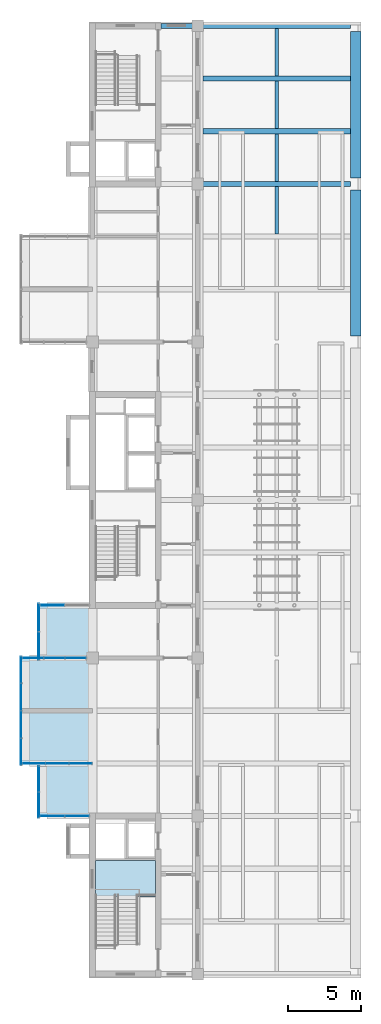
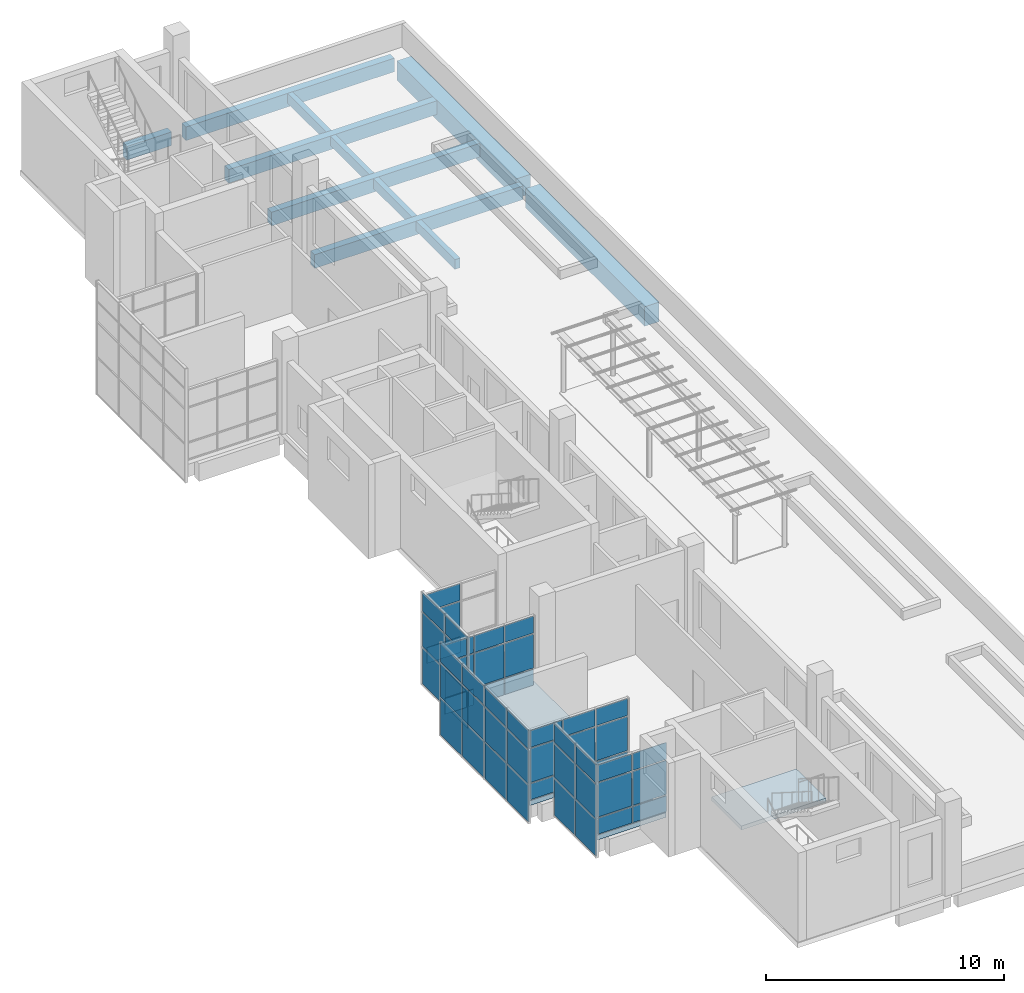
# One storey, part 10 of 16: 51 plates, 11 beams, 2 slabs, 8 elements without a shape of their own.
"""IFC4 building model written with IfcOpenShell, lengths in metres."""

import ifcopenshell
import ifcopenshell.guid

model = None  # the IFC model being written
_history = None  # IfcOwnerHistory: only IFC2X3 demands one
_inside = {}  # id of a spatial element -> (the spatial element, [elements in it])
_under = {}  # id of a project, library or spatial element -> (it, [spatial elements below it])
_declared = {}  # id of a project -> (the project, [libraries it declares])
_typed = {}  # id of a type object -> (the type object, [elements of that type])
_made_of = {}  # id of a material, layer set ... -> (it, [elements and type objects made of it])


def new_model(schema):
    """Start an empty IFC model of exactly this schema.

    Asked for "IFC4X3", IfcOpenShell would pick the latest addendum, in which some entities
    have other attributes; the version numbers below select the first issue.
    IFC2X3 requires an IfcOwnerHistory on every rooted entity: one is made here for all.
    """
    global model, _history
    if schema == "IFC4X3":
        model = ifcopenshell.file(schema_version=(4, 3, 0, 0))
    else:
        model = ifcopenshell.file(schema=schema)
    _inside.clear()
    _under.clear()
    _declared.clear()
    _typed.clear()
    _made_of.clear()
    _history = None
    if model.schema == "IFC2X3":
        org = make("IfcOrganization", Name="unknown")
        user = make(
            "IfcPersonAndOrganization",
            ThePerson=make("IfcPerson", FamilyName="unknown"),
            TheOrganization=org,
        )
        app = make(
            "IfcApplication",
            ApplicationDeveloper=org,
            Version="unknown",
            ApplicationFullName="unknown",
            ApplicationIdentifier="unknown",
        )
        _history = make(
            "IfcOwnerHistory",
            OwningUser=user,
            OwningApplication=app,
            ChangeAction="ADDED",
            CreationDate=0,
        )
    return model


def make(cls, **values):
    """One entity of the class cls with the attributes given. An attribute that is None is left unset."""
    return model.create_entity(
        cls, **{name: value for name, value in values.items() if value is not None}
    )


def rooted(cls, **values):
    """An entity with a GlobalId (a new one), such as an element, a storey or a relation."""
    return make(cls, GlobalId=ifcopenshell.guid.new(), OwnerHistory=_history, **values)


def si_unit(unit_type, name, prefix=None):
    """IfcSIUnit, for example si_unit("LENGTHUNIT", "METRE", prefix="MILLI")."""
    return make("IfcSIUnit", UnitType=unit_type, Prefix=prefix, Name=name)


def assignment(units):
    """IfcUnitAssignment: the units of a project."""
    return None if units is None else make("IfcUnitAssignment", Units=units)


def point(xyz):
    """IfcCartesianPoint."""
    return None if xyz is None else make("IfcCartesianPoint", Coordinates=xyz)


def direction(xyz):
    """IfcDirection."""
    return None if xyz is None else make("IfcDirection", DirectionRatios=xyz)


def frame(location, z_axis=None, x_axis=None):
    """IfcAxis2Placement3D, a coordinate frame: its origin and axes. An axis left out is left unset."""
    return make(
        "IfcAxis2Placement3D",
        Location=point(location),
        Axis=direction(z_axis),
        RefDirection=direction(x_axis),
    )


def frame_2d(location, x_axis=None):
    """IfcAxis2Placement2D, a coordinate frame in the plane: its origin and x axis."""
    return make(
        "IfcAxis2Placement2D", Location=point(location), RefDirection=direction(x_axis)
    )


def origin():
    """The frame at (0, 0, 0) with its axes left unset."""
    return frame((0.0, 0.0, 0.0))


def origin_2d():
    """The frame at (0, 0) in the plane with its x axis left unset."""
    return frame_2d((0.0, 0.0))


def place(relative_to, where):
    """IfcLocalPlacement: puts the frame where relative to a parent placement (None: the world)."""
    return make(
        "IfcLocalPlacement", PlacementRelTo=relative_to, RelativePlacement=where
    )


def context(
    kind, dimensions, precision=None, world=None, true_north=None, identifier=None
):
    """IfcGeometricRepresentationContext, for example the 3D "Model" context."""
    return make(
        "IfcGeometricRepresentationContext",
        ContextIdentifier=identifier,
        ContextType=kind,
        CoordinateSpaceDimension=dimensions,
        Precision=precision,
        WorldCoordinateSystem=world,
        TrueNorth=true_north,
    )


def subcontext(parent, identifier, kind, view, scale=None):
    """IfcGeometricRepresentationSubContext, for example "Body" below "Model"."""
    return make(
        "IfcGeometricRepresentationSubContext",
        ContextIdentifier=identifier,
        ContextType=kind,
        ParentContext=parent,
        TargetScale=scale,
        TargetView=view,
    )


def project(units=None, contexts=None):
    """IfcProject with its units and contexts."""
    return rooted(
        "IfcProject",
        Name="project",
        RepresentationContexts=contexts,
        UnitsInContext=assignment(units),
    )


def spatial(cls, under=None, at=None, **own):
    """A site, building, storey or space (cls), placed at a placement, below another one or the project."""
    s = rooted(cls, ObjectPlacement=at, **own)
    if under is not None:
        _under.setdefault(under.id(), (under, []))[1].append(s)
    return s


def polyline(points):
    """IfcPolyline through the points."""
    return make("IfcPolyline", Points=[point(p) for p in points])


def profile(cls, at=None, kind="AREA", **sizes):
    """A parametric profile (cls). Its sizes go by their IFC names, for example OverallWidth=200.0."""
    return make(cls, ProfileType=kind, Position=at, **sizes)


def rectangle(**sizes):
    """IfcRectangleProfileDef."""
    return profile("IfcRectangleProfileDef", **sizes)


def outline(outer, holes=None, kind="AREA"):
    """IfcArbitraryClosedProfileDef: a profile drawn as a closed curve; with holes, ...WithVoids."""
    if holes is None:
        return make("IfcArbitraryClosedProfileDef", ProfileType=kind, OuterCurve=outer)
    return make(
        "IfcArbitraryProfileDefWithVoids",
        ProfileType=kind,
        OuterCurve=outer,
        InnerCurves=holes,
    )


def extrude(swept, where, along, depth):
    """IfcExtrudedAreaSolid: the profile swept, set in the frame where, extruded along a direction by depth."""
    return make(
        "IfcExtrudedAreaSolid",
        SweptArea=swept,
        Position=where,
        ExtrudedDirection=direction(along),
        Depth=depth,
    )


def shape(context_of_items, identifier, shape_type, items):
    """IfcShapeRepresentation: the items that make up one representation, for example the "Body"."""
    return make(
        "IfcShapeRepresentation",
        ContextOfItems=context_of_items,
        RepresentationIdentifier=identifier,
        RepresentationType=shape_type,
        Items=items,
    )


def material(Name=None, Category=None):
    """IfcMaterial."""
    return make("IfcMaterial", Name=Name, Category=Category)


def layer(
    of_material, thickness, ventilated=None, Name=None, Category=None, Priority=None
):
    """IfcMaterialLayer: one layer of a wall or slab, of a material (None: an air gap)."""
    return make(
        "IfcMaterialLayer",
        Material=of_material,
        LayerThickness=thickness,
        IsVentilated=ventilated,
        Name=Name,
        Category=Category,
        Priority=Priority,
    )


def layer_set(layers, Name=None):
    """IfcMaterialLayerSet."""
    return make("IfcMaterialLayerSet", MaterialLayers=layers, LayerSetName=Name)


def material_profile(
    of_material, cross_section, Name=None, Category=None, Priority=None
):
    """IfcMaterialProfile: a cross section and its material."""
    return make(
        "IfcMaterialProfile",
        Name=Name,
        Material=of_material,
        Profile=cross_section,
        Priority=Priority,
        Category=Category,
    )


def profile_set(profiles, Name=None, composite=None):
    """IfcMaterialProfileSet."""
    return make(
        "IfcMaterialProfileSet",
        Name=Name,
        MaterialProfiles=profiles,
        CompositeProfile=composite,
    )


def made_of(thing, what):
    """Note that an element or type object is made of a material, layer set ...; save() writes the relation."""
    if what is not None:
        _made_of.setdefault(what.id(), (what, []))[1].append(thing)
    return thing


def type_object(cls, material=None, **own):
    """A type object (cls), such as IfcWallType, which elements share."""
    return made_of(rooted(cls, **own), material)


def element(
    cls,
    number,
    at=None,
    inside=None,
    cuts=None,
    type_object=None,
    material=None,
    context=None,
    identifier="Body",
    shape_type=None,
    held_by="IfcProductDefinitionShape",
    body=None,
    shapes=None,
    **own,
):
    """One element of the class cls, such as IfcWall. Its Tag is "e" and its number.

    at: its placement. inside: the storey or other place that contains it. cuts: it is an
    opening in that element (IfcRelVoidsElement). A single representation is given by context,
    identifier, shape_type and body (its items); several are given by shapes. held_by: the class
    of the entity that holds the representations. save() writes the other relations.
    """
    e = rooted(cls, Tag="e%d" % number, ObjectPlacement=at, **own)
    if body is not None:
        shapes = [shape(context, identifier, shape_type, body)]
    if shapes is not None:
        e.Representation = make(held_by, Representations=shapes)
    if inside is not None:
        _inside.setdefault(inside.id(), (inside, []))[1].append(e)
    if cuts is not None:
        rooted(
            "IfcRelVoidsElement", RelatingBuildingElement=cuts, RelatedOpeningElement=e
        )
    if type_object is not None:
        _typed.setdefault(type_object.id(), (type_object, []))[1].append(e)
    return made_of(e, material)


def aggregate(whole, parts):
    """IfcRelAggregates: a whole, such as a stair, and the parts it consists of."""
    return rooted("IfcRelAggregates", RelatingObject=whole, RelatedObjects=parts)


def save(model, path):
    """Write the relations noted so far, then the file.

    IfcRelAggregates (storeys below a building ...), IfcRelContainedInSpatialStructure (elements
    in a storey), IfcRelDefinesByType, IfcRelAssociatesMaterial and IfcRelDeclares: one each for
    every whole, place, type object, material and project.
    """
    for whole, parts in _under.values():
        aggregate(whole, parts)
    for where, things in _inside.values():
        rooted(
            "IfcRelContainedInSpatialStructure",
            RelatedElements=things,
            RelatingStructure=where,
        )
    for kind, things in _typed.values():
        rooted("IfcRelDefinesByType", RelatedObjects=things, RelatingType=kind)
    for what, things in _made_of.values():
        rooted("IfcRelAssociatesMaterial", RelatedObjects=things, RelatingMaterial=what)
    for by, libraries in _declared.values():
        rooted("IfcRelDeclares", RelatingContext=by, RelatedDefinitions=libraries)
    model.write(path)


model = new_model("IFC4")

# Units and contexts
model_context = context("Model", 3, precision=1e-05, world=origin(), true_north=direction((0.0, 1.0)))
body_context = subcontext(model_context, "Body", "Model", "MODEL_VIEW")
ifc_project = project(units=[si_unit("LENGTHUNIT", "METRE"), si_unit("AREAUNIT", "SQUARE_METRE"), si_unit("VOLUMEUNIT", "CUBIC_METRE"), si_unit("PLANEANGLEUNIT", "RADIAN"), si_unit("MASSUNIT", "GRAM", prefix="KILO")], contexts=[model_context])

# Site, building, storey
site_placement = place(None, origin())
site = spatial("IfcSite", under=ifc_project, at=site_placement, CompositionType="ELEMENT")
building_placement = place(site_placement, origin())
building = spatial("IfcBuilding", under=site, at=building_placement, Name="Basin Gate Institute", CompositionType="ELEMENT")
storey_placement = place(building_placement, frame((0.0, 0.0, 65.39990234375)))
storey = spatial("IfcBuildingStorey", under=building, at=storey_placement, Name="L13", CompositionType="ELEMENT", Elevation=65.39990234375)

# Beams
ifc_material_1 = material(Name="Concrete 40 MPa", Category="concrete")
ifc_material_profile_1 = material_profile(ifc_material_1, rectangle(XDim=0.35009765625, YDim=0.699951171875, at=origin_2d()), Name="Beam B1 350 x 700")
ifc_profile_set_1 = profile_set([ifc_material_profile_1], Name="Concrete 40 MPa")
beam_type_1 = type_object("IfcBeamType", Name="Beam B1 R120", PredefinedType="BEAM", material=ifc_profile_set_1)
for number, where, z_axis, x_axis, name in (
    (1, (68.75, 89.10009765625, -0.599853515625), (1.0, 0.0, 0.0), (0.0, 1.0, 0.0), "BEAM/L13/W/EW/16"),
    (2, (68.75, 92.699951171875, -0.599853515625), (1.0, 0.0, 0.0), (0.0, 1.0, 0.0), "BEAM/L13/W/EW/17"),
    (3, (68.75, 96.300048828125, -0.599853515625), (1.0, 0.0, 0.0), (0.0, 1.0, 0.0), "BEAM/L13/W/EW/18"),
    (4, (68.75, 99.89990234375, -0.599853515625), (1.0, 0.0, 0.0), (0.0, 1.0, 0.0), "BEAM/L13/W/EW/19"),
):
    element("IfcBeam", number, at=place(storey_placement, frame(where, z_axis=z_axis, x_axis=x_axis)), inside=storey, type_object=beam_type_1, material=ifc_profile_set_1, Name=name, PredefinedType="BEAM", context=body_context, shape_type="SweptSolid", body=[
        extrude(rectangle(XDim=0.35009765625, YDim=0.699951171875, at=origin_2d()), origin(), (0.0, 0.0, 1.0), 10.10009765625),
    ])
beam_placement = place(storey_placement, frame((65.89990234375, 99.89990234375, -0.599853515625), z_axis=(1.0, 0.0, 0.0), x_axis=(0.0, 1.0, 0.0)))
element("IfcBeam", 5, at=beam_placement, inside=storey, type_object=beam_type_1, material=ifc_profile_set_1, Name="BEAM/L13/W/CORR/19", PredefinedType="BEAM", context=body_context, shape_type="SweptSolid", body=[
    extrude(rectangle(XDim=0.35009765625, YDim=0.699951171875, at=origin_2d()), origin(), (0.0, 0.0, 1.0), 2.150146484375),
])
ifc_material_2 = material(Name="Concrete 50 MPa", Category="concrete")
ifc_material_profile_2 = material_profile(ifc_material_2, rectangle(XDim=0.699951171875, YDim=1.0, at=origin_2d()), Name="Girder G1 700 x 1000")
ifc_profile_set_2 = profile_set([ifc_material_profile_2], Name="Concrete 50 MPa")
beam_type_2 = type_object("IfcBeamType", Name="Girder G1 R120", PredefinedType="BEAM", material=ifc_profile_set_2)
for number, where, z_axis, x_axis, name in (
    (6, (79.199951171875, 78.699951171875, -0.75), (0.0, 1.0, 0.0), (-1.0, 0.0, 0.0), "GIR/L13/W6/5"),
    (7, (79.199951171875, 89.5, -0.75), (0.0, 1.0, 0.0), (-1.0, 0.0, 0.0), "GIR/L13/W6/6"),
):
    element("IfcBeam", number, at=place(storey_placement, frame(where, z_axis=z_axis, x_axis=x_axis)), inside=storey, type_object=beam_type_2, material=ifc_profile_set_2, Name=name, PredefinedType="BEAM", context=body_context, shape_type="SweptSolid", body=[
        extrude(rectangle(XDim=0.699951171875, YDim=1.0, at=origin_2d()), origin(), (0.0, 0.0, 1.0), 10.0),
    ])
ifc_material_3 = material(Name="Concrete 40 MPa", Category="concrete")
ifc_material_profile_3 = material_profile(ifc_material_3, rectangle(XDim=0.25, YDim=0.5, at=origin_2d()), Name="Rib R1 250 x 500")
ifc_profile_set_3 = profile_set([ifc_material_profile_3], Name="Concrete 40 MPa")
beam_type_3 = type_object("IfcBeamType", Name="Rib R1 R120", PredefinedType="JOIST", material=ifc_profile_set_3)
for number, where, z_axis, x_axis, name in (
    (8, (73.800048828125, 85.675048828125, -0.5), (0.0, 1.0, 0.0), (-1.0, 0.0, 0.0), "BEAM/L13/W/RIB/15"),
    (9, (73.800048828125, 89.27490234375, -0.5), (0.0, 1.0, 0.0), (-1.0, 0.0, 0.0), "BEAM/L13/W/RIB/16"),
    (10, (73.800048828125, 92.875, -0.5), (0.0, 1.0, 0.0), (-1.0, 0.0, 0.0), "BEAM/L13/W/RIB/17"),
    (11, (73.800048828125, 96.47509765625, -0.5), (0.0, 1.0, 0.0), (-1.0, 0.0, 0.0), "BEAM/L13/W/RIB/18"),
):
    element("IfcBeam", number, at=place(storey_placement, frame(where, z_axis=z_axis, x_axis=x_axis)), inside=storey, type_object=beam_type_3, material=ifc_profile_set_3, Name=name, PredefinedType="JOIST", context=body_context, shape_type="SweptSolid", body=[
        extrude(rectangle(XDim=0.25, YDim=0.5, at=origin_2d()), origin(), (0.0, 0.0, 1.0), 3.25),
    ])

# Slab
ifc_material_4 = material(Name="Concrete 40 MPa", Category="concrete")
ifc_layer_1 = layer(ifc_material_4, 0.25)
ifc_layer_set_1 = layer_set([ifc_layer_1], Name="Concrete 40 MPa")
slab_type_1 = type_object("IfcSlabType", Name="Slab SL4 R120", PredefinedType="FLOOR", material=ifc_layer_set_1)
slab_1_placement = place(storey_placement, frame((0.0, 0.0, -0.25)))
element("IfcSlab", 12, at=slab_1_placement, inside=storey, type_object=slab_type_1, material=ifc_layer_set_1, Name="SLAB/L13/WK11", PredefinedType="FLOOR", context=body_context, shape_type="SweptSolid", body=[
    extrude(outline(polyline([(57.60009765625, 45.89990234375), (57.60009765625, 49.5), (56.39990234375, 49.5), (56.39990234375, 56.699951171875), (57.60009765625, 56.699951171875), (57.60009765625, 60.300048828125), (60.949951171875, 60.300048828125), (60.949951171875, 45.89990234375), (57.60009765625, 45.89990234375)])), origin(), (0.0, 0.0, 1.0), 0.25),
])

# Curtain wall, plates
ifc_material_5 = material(Name="Aluminium-framed glazing", Category="aluminium")
ifc_layer_2 = layer(ifc_material_5, 0.14990234375)
ifc_layer_set_2 = layer_set([ifc_layer_2], Name="Capsule front curtain wall CW1")
curtain_wall_type = type_object("IfcCurtainWallType", Name="Capsule front curtain wall CW1", PredefinedType="NOTDEFINED", material=ifc_layer_set_2)
curtain_wall_1_placement = place(storey_placement, origin())
curtain_wall_1 = element("IfcCurtainWall", 13, at=curtain_wall_1_placement, inside=storey, type_object=curtain_wall_type, material=ifc_layer_set_2, Name="Capsule front curtain wall W wing capsule end L13 line 4", PredefinedType="NOTDEFINED")
ifc_material_6 = material(Name="Aluminium insulated spandrel panel", Category="aluminium")
ifc_layer_3 = layer(ifc_material_6, 0.050048828125)
ifc_layer_set_3 = layer_set([ifc_layer_3], Name="Spandrel panel PN2")
plate_type_1 = type_object("IfcPlateType", Name="Spandrel panel PN2", PredefinedType="CURTAIN_PANEL", material=ifc_layer_set_3)
plate_1_placement = place(storey_placement, frame((58.46240234375, 45.89990234375, 0.06005859375), z_axis=(0.0, 0.0, 1.0), x_axis=(1.0, 0.0, 0.0)))
plate_1 = element("IfcPlate", 14, at=plate_1_placement, type_object=plate_type_1, material=ifc_layer_set_3, Name="CW1 spandrel panel 1.1", PredefinedType="CURTAIN_PANEL", context=body_context, shape_type="SweptSolid", body=[
    extrude(rectangle(XDim=1.625, YDim=0.050048828125, at=origin_2d()), origin(), (0.0, 0.0, 1.0), 0.81005859375),
])
plate_2_placement = place(storey_placement, frame((60.137451171875, 45.89990234375, 0.06005859375), z_axis=(0.0, 0.0, 1.0), x_axis=(1.0, 0.0, 0.0)))
plate_2 = element("IfcPlate", 15, at=plate_2_placement, type_object=plate_type_1, material=ifc_layer_set_3, Name="CW1 spandrel panel 2.1", PredefinedType="CURTAIN_PANEL", context=body_context, shape_type="SweptSolid", body=[
    extrude(rectangle(XDim=1.625, YDim=0.050048828125, at=origin_2d()), origin(), (0.0, 0.0, 1.0), 0.81005859375),
])

curtain_wall_2_placement = place(storey_placement, origin())
curtain_wall_2 = element("IfcCurtainWall", 16, at=curtain_wall_2_placement, inside=storey, type_object=curtain_wall_type, material=ifc_layer_set_2, Name="Capsule front curtain wall W wing capsule end L13 line 5", PredefinedType="NOTDEFINED")
plate_3_placement = place(storey_placement, frame((57.21240234375, 49.5, 0.06005859375), z_axis=(0.0, 0.0, 1.0), x_axis=(1.0, 0.0, 0.0)))
plate_3 = element("IfcPlate", 17, at=plate_3_placement, type_object=plate_type_1, material=ifc_layer_set_3, Name="CW1 spandrel panel 1.1", PredefinedType="CURTAIN_PANEL", context=body_context, shape_type="SweptSolid", body=[
    extrude(rectangle(XDim=1.52490234375, YDim=0.050048828125, at=origin_2d()), origin(), (0.0, 0.0, 1.0), 0.81005859375),
])
plate_4_placement = place(storey_placement, frame((58.800048828125, 49.5, 0.06005859375), z_axis=(0.0, 0.0, 1.0), x_axis=(1.0, 0.0, 0.0)))
plate_4 = element("IfcPlate", 18, at=plate_4_placement, type_object=plate_type_1, material=ifc_layer_set_3, Name="CW1 spandrel panel 2.1", PredefinedType="CURTAIN_PANEL", context=body_context, shape_type="SweptSolid", body=[
    extrude(rectangle(XDim=1.550048828125, YDim=0.050048828125, at=origin_2d()), origin(), (0.0, 0.0, 1.0), 0.81005859375),
])
plate_5_placement = place(storey_placement, frame((60.387451171875, 49.5, 0.06005859375), z_axis=(0.0, 0.0, 1.0), x_axis=(1.0, 0.0, 0.0)))
plate_5 = element("IfcPlate", 19, at=plate_5_placement, type_object=plate_type_1, material=ifc_layer_set_3, Name="CW1 spandrel panel 3.1", PredefinedType="CURTAIN_PANEL", context=body_context, shape_type="SweptSolid", body=[
    extrude(rectangle(XDim=1.52490234375, YDim=0.050048828125, at=origin_2d()), origin(), (0.0, 0.0, 1.0), 0.81005859375),
])

curtain_wall_3_placement = place(storey_placement, origin())
curtain_wall_3 = element("IfcCurtainWall", 20, at=curtain_wall_3_placement, inside=storey, type_object=curtain_wall_type, material=ifc_layer_set_2, Name="Capsule front curtain wall W wing capsule end L13 line 7", PredefinedType="NOTDEFINED")
plate_6_placement = place(storey_placement, frame((57.145751953125, 56.699951171875, 0.06005859375), z_axis=(0.0, 0.0, 1.0), x_axis=(1.0, 0.0, 0.0)))
plate_6 = element("IfcPlate", 21, at=plate_6_placement, type_object=plate_type_1, material=ifc_layer_set_3, Name="CW1 spandrel panel 1.1", PredefinedType="CURTAIN_PANEL", context=body_context, shape_type="SweptSolid", body=[
    extrude(rectangle(XDim=1.3916015625, YDim=0.050048828125, at=origin_2d()), origin(), (0.0, 0.0, 1.0), 0.81005859375),
])
plate_7_placement = place(storey_placement, frame((58.60009765625, 56.699951171875, 0.06005859375), z_axis=(0.0, 0.0, 1.0), x_axis=(1.0, 0.0, 0.0)))
plate_7 = element("IfcPlate", 22, at=plate_7_placement, type_object=plate_type_1, material=ifc_layer_set_3, Name="CW1 spandrel panel 2.1", PredefinedType="CURTAIN_PANEL", context=body_context, shape_type="SweptSolid", body=[
    extrude(rectangle(XDim=1.416748046875, YDim=0.050048828125, at=origin_2d()), origin(), (0.0, 0.0, 1.0), 0.81005859375),
])
plate_8_placement = place(storey_placement, frame((60.05419921875, 56.699951171875, 0.06005859375), z_axis=(0.0, 0.0, 1.0), x_axis=(1.0, 0.0, 0.0)))
plate_8 = element("IfcPlate", 23, at=plate_8_placement, type_object=plate_type_1, material=ifc_layer_set_3, Name="CW1 spandrel panel 3.1", PredefinedType="CURTAIN_PANEL", context=body_context, shape_type="SweptSolid", body=[
    extrude(rectangle(XDim=1.3916015625, YDim=0.050048828125, at=origin_2d()), origin(), (0.0, 0.0, 1.0), 0.81005859375),
])

# Curtain wall, plate
curtain_wall_4_placement = place(storey_placement, origin())
curtain_wall_4 = element("IfcCurtainWall", 24, at=curtain_wall_4_placement, inside=storey, type_object=curtain_wall_type, material=ifc_layer_set_2, Name="Capsule front curtain wall W wing capsule end L13 line 8", PredefinedType="NOTDEFINED")
plate_9_placement = place(storey_placement, frame((58.46240234375, 60.300048828125, 0.06005859375), z_axis=(0.0, 0.0, 1.0), x_axis=(1.0, 0.0, 0.0)))
plate_9 = element("IfcPlate", 25, at=plate_9_placement, type_object=plate_type_1, material=ifc_layer_set_3, Name="CW1 spandrel panel 1.1", PredefinedType="CURTAIN_PANEL", context=body_context, shape_type="SweptSolid", body=[
    extrude(rectangle(XDim=1.625, YDim=0.050048828125, at=origin_2d()), origin(), (0.0, 0.0, 1.0), 0.81005859375),
])

# Curtain wall, plates
curtain_wall_5_placement = place(storey_placement, origin())
curtain_wall_5 = element("IfcCurtainWall", 26, at=curtain_wall_5_placement, inside=storey, type_object=curtain_wall_type, material=ifc_layer_set_2, Name="Capsule front curtain wall W wing capsule 1 L13 front 1", PredefinedType="NOTDEFINED")
plate_10_placement = place(storey_placement, frame((57.52490234375, 46.66259765625, -0.98974609375), z_axis=(0.0, 0.0, 1.0), x_axis=(0.0, 1.0, 0.0)))
plate_10 = element("IfcPlate", 27, at=plate_10_placement, type_object=plate_type_1, material=ifc_layer_set_3, Name="CW1 spandrel panel 1.1", PredefinedType="CURTAIN_PANEL", context=body_context, shape_type="SweptSolid", body=[
    extrude(rectangle(XDim=1.72509765625, YDim=0.050048828125, at=origin_2d()), origin(), (0.0, 0.0, 1.0), 1.860107421875),
])
plate_11_placement = place(storey_placement, frame((57.52490234375, 48.4375, -0.98974609375), z_axis=(0.0, 0.0, 1.0), x_axis=(0.0, 1.0, 0.0)))
plate_11 = element("IfcPlate", 28, at=plate_11_placement, type_object=plate_type_1, material=ifc_layer_set_3, Name="CW1 spandrel panel 2.1", PredefinedType="CURTAIN_PANEL", context=body_context, shape_type="SweptSolid", body=[
    extrude(rectangle(XDim=1.72509765625, YDim=0.050048828125, at=origin_2d()), origin(), (0.0, 0.0, 1.0), 1.860107421875),
])

curtain_wall_6_placement = place(storey_placement, origin())
curtain_wall_6 = element("IfcCurtainWall", 29, at=curtain_wall_6_placement, inside=storey, type_object=curtain_wall_type, material=ifc_layer_set_2, Name="Capsule front curtain wall W wing capsule 1 L13 front 2", PredefinedType="NOTDEFINED")
plate_12_placement = place(storey_placement, frame((56.324951171875, 50.300048828125, -0.98974609375), z_axis=(0.0, 0.0, 1.0), x_axis=(0.0, 1.0, 0.0)))
plate_12 = element("IfcPlate", 30, at=plate_12_placement, type_object=plate_type_1, material=ifc_layer_set_3, Name="CW1 spandrel panel 1.1", PredefinedType="CURTAIN_PANEL", context=body_context, shape_type="SweptSolid", body=[
    extrude(rectangle(XDim=1.800048828125, YDim=0.050048828125, at=origin_2d()), origin(), (0.0, 0.0, 1.0), 1.860107421875),
])
plate_13_placement = place(storey_placement, frame((56.324951171875, 52.16259765625, -0.98974609375), z_axis=(0.0, 0.0, 1.0), x_axis=(0.0, 1.0, 0.0)))
plate_13 = element("IfcPlate", 31, at=plate_13_placement, type_object=plate_type_1, material=ifc_layer_set_3, Name="CW1 spandrel panel 2.1", PredefinedType="CURTAIN_PANEL", context=body_context, shape_type="SweptSolid", body=[
    extrude(rectangle(XDim=1.824951171875, YDim=0.050048828125, at=origin_2d()), origin(), (0.0, 0.0, 1.0), 1.860107421875),
])
plate_14_placement = place(storey_placement, frame((56.324951171875, 54.03759765625, -0.98974609375), z_axis=(0.0, 0.0, 1.0), x_axis=(0.0, 1.0, 0.0)))
plate_14 = element("IfcPlate", 32, at=plate_14_placement, type_object=plate_type_1, material=ifc_layer_set_3, Name="CW1 spandrel panel 3.1", PredefinedType="CURTAIN_PANEL", context=body_context, shape_type="SweptSolid", body=[
    extrude(rectangle(XDim=1.824951171875, YDim=0.050048828125, at=origin_2d()), origin(), (0.0, 0.0, 1.0), 1.860107421875),
])
plate_15_placement = place(storey_placement, frame((56.324951171875, 55.89990234375, -0.98974609375), z_axis=(0.0, 0.0, 1.0), x_axis=(0.0, 1.0, 0.0)))
plate_15 = element("IfcPlate", 33, at=plate_15_placement, type_object=plate_type_1, material=ifc_layer_set_3, Name="CW1 spandrel panel 4.1", PredefinedType="CURTAIN_PANEL", context=body_context, shape_type="SweptSolid", body=[
    extrude(rectangle(XDim=1.800048828125, YDim=0.050048828125, at=origin_2d()), origin(), (0.0, 0.0, 1.0), 1.860107421875),
])

curtain_wall_7_placement = place(storey_placement, origin())
curtain_wall_7 = element("IfcCurtainWall", 34, at=curtain_wall_7_placement, inside=storey, type_object=curtain_wall_type, material=ifc_layer_set_2, Name="Capsule front curtain wall W wing capsule 1 L13 front 4", PredefinedType="NOTDEFINED")
plate_16_placement = place(storey_placement, frame((57.52490234375, 57.53759765625, -0.98974609375), z_axis=(0.0, 0.0, 1.0), x_axis=(0.0, 1.0, 0.0)))
plate_16 = element("IfcPlate", 35, at=plate_16_placement, type_object=plate_type_1, material=ifc_layer_set_3, Name="CW1 spandrel panel 1.1", PredefinedType="CURTAIN_PANEL", context=body_context, shape_type="SweptSolid", body=[
    extrude(rectangle(XDim=1.875, YDim=0.050048828125, at=origin_2d()), origin(), (0.0, 0.0, 1.0), 1.860107421875),
])
plate_17_placement = place(storey_placement, frame((57.52490234375, 59.46240234375, -0.98974609375), z_axis=(0.0, 0.0, 1.0), x_axis=(0.0, 1.0, 0.0)))
plate_17 = element("IfcPlate", 36, at=plate_17_placement, type_object=plate_type_1, material=ifc_layer_set_3, Name="CW1 spandrel panel 2.1", PredefinedType="CURTAIN_PANEL", context=body_context, shape_type="SweptSolid", body=[
    extrude(rectangle(XDim=1.875, YDim=0.050048828125, at=origin_2d()), origin(), (0.0, 0.0, 1.0), 1.860107421875),
])

# Stair, slab
ifc_material_7 = material(Name="Concrete 40 MPa", Category="concrete")
stair_type = type_object("IfcStairType", Name="Stair ST", PredefinedType="HALF_TURN_STAIR", material=ifc_material_7)
stair_placement = place(storey_placement, origin())
stair = element("IfcStair", 37, at=stair_placement, inside=storey, type_object=stair_type, material=ifc_material_7, Name="Special safe stair ST-WS L13", PredefinedType="HALF_TURN_STAIR")
ifc_material_8 = material(Name="Concrete 40 MPa", Category="concrete")
ifc_layer_4 = layer(ifc_material_8, 0.199951171875)
ifc_layer_set_4 = layer_set([ifc_layer_4], Name="Concrete 40 MPa")
slab_type_2 = type_object("IfcSlabType", Name="Stair landing LN REI 120", PredefinedType="LANDING", material=ifc_layer_set_4)
slab_2_placement = place(storey_placement, frame((0.0, 0.0, 2.2890625)))
slab_2 = element("IfcSlab", 38, at=slab_2_placement, type_object=slab_type_2, material=ifc_layer_set_4, Name="Stair landing ST-WS-L1 L13", PredefinedType="LANDING", context=body_context, shape_type="SweptSolid", body=[
    extrude(outline(polyline([(61.39990234375, 40.3701171875), (65.5, 40.3701171875), (65.5, 42.85009765625), (61.39990234375, 42.85009765625), (61.39990234375, 40.3701171875)])), origin(), (0.0, 0.0, 1.0), 0.199951171875),
])
aggregate(stair, [slab_2])

# Plate
ifc_material_9 = material(Name="Double glazed unit")
ifc_layer_5 = layer(ifc_material_9, 0.028076171875)
ifc_layer_set_5 = layer_set([ifc_layer_5], Name="Vision panel PN1")
plate_type_2 = type_object("IfcPlateType", Name="Vision panel PN1", PredefinedType="CURTAIN_PANEL", material=ifc_layer_set_5)
plate_18_placement = place(storey_placement, frame((58.46240234375, 45.89990234375, 0.93017578125), z_axis=(0.0, 0.0, 1.0), x_axis=(1.0, 0.0, 0.0)))
plate_18 = element("IfcPlate", 39, at=plate_18_placement, type_object=plate_type_2, material=ifc_layer_set_5, Name="CW1 vision panel 1.2", PredefinedType="CURTAIN_PANEL", context=body_context, shape_type="SweptSolid", body=[
    extrude(rectangle(XDim=1.625, YDim=0.028076171875, at=origin_2d()), origin(), (0.0, 0.0, 1.0), 1.739990234375),
])

plate_19_placement = place(storey_placement, frame((58.46240234375, 45.89990234375, 2.72998046875), z_axis=(0.0, 0.0, 1.0), x_axis=(1.0, 0.0, 0.0)))
plate_19 = element("IfcPlate", 40, at=plate_19_placement, type_object=plate_type_2, material=ifc_layer_set_5, Name="CW1 vision panel 1.3", PredefinedType="CURTAIN_PANEL", context=body_context, shape_type="SweptSolid", body=[
    extrude(rectangle(XDim=1.625, YDim=0.028076171875, at=origin_2d()), origin(), (0.0, 0.0, 1.0), 0.860107421875),
])

plate_20_placement = place(storey_placement, frame((60.137451171875, 45.89990234375, 0.93017578125), z_axis=(0.0, 0.0, 1.0), x_axis=(1.0, 0.0, 0.0)))
plate_20 = element("IfcPlate", 41, at=plate_20_placement, type_object=plate_type_2, material=ifc_layer_set_5, Name="CW1 vision panel 2.2", PredefinedType="CURTAIN_PANEL", context=body_context, shape_type="SweptSolid", body=[
    extrude(rectangle(XDim=1.625, YDim=0.028076171875, at=origin_2d()), origin(), (0.0, 0.0, 1.0), 1.739990234375),
])

plate_21_placement = place(storey_placement, frame((60.137451171875, 45.89990234375, 2.72998046875), z_axis=(0.0, 0.0, 1.0), x_axis=(1.0, 0.0, 0.0)))
plate_21 = element("IfcPlate", 42, at=plate_21_placement, type_object=plate_type_2, material=ifc_layer_set_5, Name="CW1 vision panel 2.3", PredefinedType="CURTAIN_PANEL", context=body_context, shape_type="SweptSolid", body=[
    extrude(rectangle(XDim=1.625, YDim=0.028076171875, at=origin_2d()), origin(), (0.0, 0.0, 1.0), 0.860107421875),
])

aggregate(curtain_wall_1, [plate_1, plate_18, plate_19, plate_2, plate_20, plate_21])

plate_22_placement = place(storey_placement, frame((57.21240234375, 49.5, 0.93017578125), z_axis=(0.0, 0.0, 1.0), x_axis=(1.0, 0.0, 0.0)))
plate_22 = element("IfcPlate", 43, at=plate_22_placement, type_object=plate_type_2, material=ifc_layer_set_5, Name="CW1 vision panel 1.2", PredefinedType="CURTAIN_PANEL", context=body_context, shape_type="SweptSolid", body=[
    extrude(rectangle(XDim=1.52490234375, YDim=0.028076171875, at=origin_2d()), origin(), (0.0, 0.0, 1.0), 1.739990234375),
])

plate_23_placement = place(storey_placement, frame((57.21240234375, 49.5, 2.72998046875), z_axis=(0.0, 0.0, 1.0), x_axis=(1.0, 0.0, 0.0)))
plate_23 = element("IfcPlate", 44, at=plate_23_placement, type_object=plate_type_2, material=ifc_layer_set_5, Name="CW1 vision panel 1.3", PredefinedType="CURTAIN_PANEL", context=body_context, shape_type="SweptSolid", body=[
    extrude(rectangle(XDim=1.52490234375, YDim=0.028076171875, at=origin_2d()), origin(), (0.0, 0.0, 1.0), 0.860107421875),
])

plate_24_placement = place(storey_placement, frame((58.800048828125, 49.5, 0.93017578125), z_axis=(0.0, 0.0, 1.0), x_axis=(1.0, 0.0, 0.0)))
plate_24 = element("IfcPlate", 45, at=plate_24_placement, type_object=plate_type_2, material=ifc_layer_set_5, Name="CW1 vision panel 2.2", PredefinedType="CURTAIN_PANEL", context=body_context, shape_type="SweptSolid", body=[
    extrude(rectangle(XDim=1.550048828125, YDim=0.028076171875, at=origin_2d()), origin(), (0.0, 0.0, 1.0), 1.739990234375),
])

plate_25_placement = place(storey_placement, frame((58.800048828125, 49.5, 2.72998046875), z_axis=(0.0, 0.0, 1.0), x_axis=(1.0, 0.0, 0.0)))
plate_25 = element("IfcPlate", 46, at=plate_25_placement, type_object=plate_type_2, material=ifc_layer_set_5, Name="CW1 vision panel 2.3", PredefinedType="CURTAIN_PANEL", context=body_context, shape_type="SweptSolid", body=[
    extrude(rectangle(XDim=1.550048828125, YDim=0.028076171875, at=origin_2d()), origin(), (0.0, 0.0, 1.0), 0.860107421875),
])

plate_26_placement = place(storey_placement, frame((60.387451171875, 49.5, 0.93017578125), z_axis=(0.0, 0.0, 1.0), x_axis=(1.0, 0.0, 0.0)))
plate_26 = element("IfcPlate", 47, at=plate_26_placement, type_object=plate_type_2, material=ifc_layer_set_5, Name="CW1 vision panel 3.2", PredefinedType="CURTAIN_PANEL", context=body_context, shape_type="SweptSolid", body=[
    extrude(rectangle(XDim=1.52490234375, YDim=0.028076171875, at=origin_2d()), origin(), (0.0, 0.0, 1.0), 1.739990234375),
])

plate_27_placement = place(storey_placement, frame((60.387451171875, 49.5, 2.72998046875), z_axis=(0.0, 0.0, 1.0), x_axis=(1.0, 0.0, 0.0)))
plate_27 = element("IfcPlate", 48, at=plate_27_placement, type_object=plate_type_2, material=ifc_layer_set_5, Name="CW1 vision panel 3.3", PredefinedType="CURTAIN_PANEL", context=body_context, shape_type="SweptSolid", body=[
    extrude(rectangle(XDim=1.52490234375, YDim=0.028076171875, at=origin_2d()), origin(), (0.0, 0.0, 1.0), 0.860107421875),
])

aggregate(curtain_wall_2, [plate_3, plate_22, plate_23, plate_4, plate_24, plate_25, plate_5, plate_26, plate_27])

plate_28_placement = place(storey_placement, frame((57.145751953125, 56.699951171875, 0.93017578125), z_axis=(0.0, 0.0, 1.0), x_axis=(1.0, 0.0, 0.0)))
plate_28 = element("IfcPlate", 49, at=plate_28_placement, type_object=plate_type_2, material=ifc_layer_set_5, Name="CW1 vision panel 1.2", PredefinedType="CURTAIN_PANEL", context=body_context, shape_type="SweptSolid", body=[
    extrude(rectangle(XDim=1.3916015625, YDim=0.028076171875, at=origin_2d()), origin(), (0.0, 0.0, 1.0), 1.739990234375),
])

plate_29_placement = place(storey_placement, frame((57.145751953125, 56.699951171875, 2.72998046875), z_axis=(0.0, 0.0, 1.0), x_axis=(1.0, 0.0, 0.0)))
plate_29 = element("IfcPlate", 50, at=plate_29_placement, type_object=plate_type_2, material=ifc_layer_set_5, Name="CW1 vision panel 1.3", PredefinedType="CURTAIN_PANEL", context=body_context, shape_type="SweptSolid", body=[
    extrude(rectangle(XDim=1.3916015625, YDim=0.028076171875, at=origin_2d()), origin(), (0.0, 0.0, 1.0), 0.860107421875),
])

plate_30_placement = place(storey_placement, frame((58.60009765625, 56.699951171875, 0.93017578125), z_axis=(0.0, 0.0, 1.0), x_axis=(1.0, 0.0, 0.0)))
plate_30 = element("IfcPlate", 51, at=plate_30_placement, type_object=plate_type_2, material=ifc_layer_set_5, Name="CW1 vision panel 2.2", PredefinedType="CURTAIN_PANEL", context=body_context, shape_type="SweptSolid", body=[
    extrude(rectangle(XDim=1.416748046875, YDim=0.028076171875, at=origin_2d()), origin(), (0.0, 0.0, 1.0), 1.739990234375),
])

plate_31_placement = place(storey_placement, frame((58.60009765625, 56.699951171875, 2.72998046875), z_axis=(0.0, 0.0, 1.0), x_axis=(1.0, 0.0, 0.0)))
plate_31 = element("IfcPlate", 52, at=plate_31_placement, type_object=plate_type_2, material=ifc_layer_set_5, Name="CW1 vision panel 2.3", PredefinedType="CURTAIN_PANEL", context=body_context, shape_type="SweptSolid", body=[
    extrude(rectangle(XDim=1.416748046875, YDim=0.028076171875, at=origin_2d()), origin(), (0.0, 0.0, 1.0), 0.860107421875),
])

plate_32_placement = place(storey_placement, frame((60.05419921875, 56.699951171875, 0.93017578125), z_axis=(0.0, 0.0, 1.0), x_axis=(1.0, 0.0, 0.0)))
plate_32 = element("IfcPlate", 53, at=plate_32_placement, type_object=plate_type_2, material=ifc_layer_set_5, Name="CW1 vision panel 3.2", PredefinedType="CURTAIN_PANEL", context=body_context, shape_type="SweptSolid", body=[
    extrude(rectangle(XDim=1.3916015625, YDim=0.028076171875, at=origin_2d()), origin(), (0.0, 0.0, 1.0), 1.739990234375),
])

plate_33_placement = place(storey_placement, frame((60.05419921875, 56.699951171875, 2.72998046875), z_axis=(0.0, 0.0, 1.0), x_axis=(1.0, 0.0, 0.0)))
plate_33 = element("IfcPlate", 54, at=plate_33_placement, type_object=plate_type_2, material=ifc_layer_set_5, Name="CW1 vision panel 3.3", PredefinedType="CURTAIN_PANEL", context=body_context, shape_type="SweptSolid", body=[
    extrude(rectangle(XDim=1.3916015625, YDim=0.028076171875, at=origin_2d()), origin(), (0.0, 0.0, 1.0), 0.860107421875),
])

aggregate(curtain_wall_3, [plate_6, plate_28, plate_29, plate_7, plate_30, plate_31, plate_8, plate_32, plate_33])

plate_34_placement = place(storey_placement, frame((58.46240234375, 60.300048828125, 0.93017578125), z_axis=(0.0, 0.0, 1.0), x_axis=(1.0, 0.0, 0.0)))
plate_34 = element("IfcPlate", 55, at=plate_34_placement, type_object=plate_type_2, material=ifc_layer_set_5, Name="CW1 vision panel 1.2", PredefinedType="CURTAIN_PANEL", context=body_context, shape_type="SweptSolid", body=[
    extrude(rectangle(XDim=1.625, YDim=0.028076171875, at=origin_2d()), origin(), (0.0, 0.0, 1.0), 1.739990234375),
])

plate_35_placement = place(storey_placement, frame((58.46240234375, 60.300048828125, 2.72998046875), z_axis=(0.0, 0.0, 1.0), x_axis=(1.0, 0.0, 0.0)))
plate_35 = element("IfcPlate", 56, at=plate_35_placement, type_object=plate_type_2, material=ifc_layer_set_5, Name="CW1 vision panel 1.3", PredefinedType="CURTAIN_PANEL", context=body_context, shape_type="SweptSolid", body=[
    extrude(rectangle(XDim=1.625, YDim=0.028076171875, at=origin_2d()), origin(), (0.0, 0.0, 1.0), 0.860107421875),
])

aggregate(curtain_wall_4, [plate_9, plate_34, plate_35])

plate_36_placement = place(storey_placement, frame((57.52490234375, 46.66259765625, 0.93017578125), z_axis=(0.0, 0.0, 1.0), x_axis=(0.0, 1.0, 0.0)))
plate_36 = element("IfcPlate", 57, at=plate_36_placement, type_object=plate_type_2, material=ifc_layer_set_5, Name="CW1 vision panel 1.2", PredefinedType="CURTAIN_PANEL", context=body_context, shape_type="SweptSolid", body=[
    extrude(rectangle(XDim=1.72509765625, YDim=0.028076171875, at=origin_2d()), origin(), (0.0, 0.0, 1.0), 1.739990234375),
])

plate_37_placement = place(storey_placement, frame((57.52490234375, 46.66259765625, 2.730224609375), z_axis=(0.0, 0.0, 1.0), x_axis=(0.0, 1.0, 0.0)))
plate_37 = element("IfcPlate", 58, at=plate_37_placement, type_object=plate_type_2, material=ifc_layer_set_5, Name="CW1 vision panel 1.3", PredefinedType="CURTAIN_PANEL", context=body_context, shape_type="SweptSolid", body=[
    extrude(rectangle(XDim=1.72509765625, YDim=0.028076171875, at=origin_2d()), origin(), (0.0, 0.0, 1.0), 0.9599609375),
])

plate_38_placement = place(storey_placement, frame((57.52490234375, 48.4375, 0.93017578125), z_axis=(0.0, 0.0, 1.0), x_axis=(0.0, 1.0, 0.0)))
plate_38 = element("IfcPlate", 59, at=plate_38_placement, type_object=plate_type_2, material=ifc_layer_set_5, Name="CW1 vision panel 2.2", PredefinedType="CURTAIN_PANEL", context=body_context, shape_type="SweptSolid", body=[
    extrude(rectangle(XDim=1.72509765625, YDim=0.028076171875, at=origin_2d()), origin(), (0.0, 0.0, 1.0), 1.739990234375),
])

plate_39_placement = place(storey_placement, frame((57.52490234375, 48.4375, 2.730224609375), z_axis=(0.0, 0.0, 1.0), x_axis=(0.0, 1.0, 0.0)))
plate_39 = element("IfcPlate", 60, at=plate_39_placement, type_object=plate_type_2, material=ifc_layer_set_5, Name="CW1 vision panel 2.3", PredefinedType="CURTAIN_PANEL", context=body_context, shape_type="SweptSolid", body=[
    extrude(rectangle(XDim=1.72509765625, YDim=0.028076171875, at=origin_2d()), origin(), (0.0, 0.0, 1.0), 0.9599609375),
])

aggregate(curtain_wall_5, [plate_10, plate_36, plate_37, plate_11, plate_38, plate_39])

plate_40_placement = place(storey_placement, frame((56.324951171875, 50.300048828125, 0.93017578125), z_axis=(0.0, 0.0, 1.0), x_axis=(0.0, 1.0, 0.0)))
plate_40 = element("IfcPlate", 61, at=plate_40_placement, type_object=plate_type_2, material=ifc_layer_set_5, Name="CW1 vision panel 1.2", PredefinedType="CURTAIN_PANEL", context=body_context, shape_type="SweptSolid", body=[
    extrude(rectangle(XDim=1.800048828125, YDim=0.028076171875, at=origin_2d()), origin(), (0.0, 0.0, 1.0), 1.739990234375),
])

plate_41_placement = place(storey_placement, frame((56.324951171875, 50.300048828125, 2.730224609375), z_axis=(0.0, 0.0, 1.0), x_axis=(0.0, 1.0, 0.0)))
plate_41 = element("IfcPlate", 62, at=plate_41_placement, type_object=plate_type_2, material=ifc_layer_set_5, Name="CW1 vision panel 1.3", PredefinedType="CURTAIN_PANEL", context=body_context, shape_type="SweptSolid", body=[
    extrude(rectangle(XDim=1.800048828125, YDim=0.028076171875, at=origin_2d()), origin(), (0.0, 0.0, 1.0), 0.9599609375),
])

plate_42_placement = place(storey_placement, frame((56.324951171875, 52.16259765625, 0.93017578125), z_axis=(0.0, 0.0, 1.0), x_axis=(0.0, 1.0, 0.0)))
plate_42 = element("IfcPlate", 63, at=plate_42_placement, type_object=plate_type_2, material=ifc_layer_set_5, Name="CW1 vision panel 2.2", PredefinedType="CURTAIN_PANEL", context=body_context, shape_type="SweptSolid", body=[
    extrude(rectangle(XDim=1.824951171875, YDim=0.028076171875, at=origin_2d()), origin(), (0.0, 0.0, 1.0), 1.739990234375),
])

plate_43_placement = place(storey_placement, frame((56.324951171875, 52.16259765625, 2.730224609375), z_axis=(0.0, 0.0, 1.0), x_axis=(0.0, 1.0, 0.0)))
plate_43 = element("IfcPlate", 64, at=plate_43_placement, type_object=plate_type_2, material=ifc_layer_set_5, Name="CW1 vision panel 2.3", PredefinedType="CURTAIN_PANEL", context=body_context, shape_type="SweptSolid", body=[
    extrude(rectangle(XDim=1.824951171875, YDim=0.028076171875, at=origin_2d()), origin(), (0.0, 0.0, 1.0), 0.9599609375),
])

plate_44_placement = place(storey_placement, frame((56.324951171875, 54.03759765625, 0.93017578125), z_axis=(0.0, 0.0, 1.0), x_axis=(0.0, 1.0, 0.0)))
plate_44 = element("IfcPlate", 65, at=plate_44_placement, type_object=plate_type_2, material=ifc_layer_set_5, Name="CW1 vision panel 3.2", PredefinedType="CURTAIN_PANEL", context=body_context, shape_type="SweptSolid", body=[
    extrude(rectangle(XDim=1.824951171875, YDim=0.028076171875, at=origin_2d()), origin(), (0.0, 0.0, 1.0), 1.739990234375),
])

plate_45_placement = place(storey_placement, frame((56.324951171875, 54.03759765625, 2.730224609375), z_axis=(0.0, 0.0, 1.0), x_axis=(0.0, 1.0, 0.0)))
plate_45 = element("IfcPlate", 66, at=plate_45_placement, type_object=plate_type_2, material=ifc_layer_set_5, Name="CW1 vision panel 3.3", PredefinedType="CURTAIN_PANEL", context=body_context, shape_type="SweptSolid", body=[
    extrude(rectangle(XDim=1.824951171875, YDim=0.028076171875, at=origin_2d()), origin(), (0.0, 0.0, 1.0), 0.9599609375),
])

plate_46_placement = place(storey_placement, frame((56.324951171875, 55.89990234375, 0.93017578125), z_axis=(0.0, 0.0, 1.0), x_axis=(0.0, 1.0, 0.0)))
plate_46 = element("IfcPlate", 67, at=plate_46_placement, type_object=plate_type_2, material=ifc_layer_set_5, Name="CW1 vision panel 4.2", PredefinedType="CURTAIN_PANEL", context=body_context, shape_type="SweptSolid", body=[
    extrude(rectangle(XDim=1.800048828125, YDim=0.028076171875, at=origin_2d()), origin(), (0.0, 0.0, 1.0), 1.739990234375),
])

plate_47_placement = place(storey_placement, frame((56.324951171875, 55.89990234375, 2.730224609375), z_axis=(0.0, 0.0, 1.0), x_axis=(0.0, 1.0, 0.0)))
plate_47 = element("IfcPlate", 68, at=plate_47_placement, type_object=plate_type_2, material=ifc_layer_set_5, Name="CW1 vision panel 4.3", PredefinedType="CURTAIN_PANEL", context=body_context, shape_type="SweptSolid", body=[
    extrude(rectangle(XDim=1.800048828125, YDim=0.028076171875, at=origin_2d()), origin(), (0.0, 0.0, 1.0), 0.9599609375),
])

aggregate(curtain_wall_6, [plate_12, plate_40, plate_41, plate_13, plate_42, plate_43, plate_14, plate_44, plate_45, plate_15, plate_46, plate_47])

plate_48_placement = place(storey_placement, frame((57.52490234375, 57.53759765625, 0.93017578125), z_axis=(0.0, 0.0, 1.0), x_axis=(0.0, 1.0, 0.0)))
plate_48 = element("IfcPlate", 69, at=plate_48_placement, type_object=plate_type_2, material=ifc_layer_set_5, Name="CW1 vision panel 1.2", PredefinedType="CURTAIN_PANEL", context=body_context, shape_type="SweptSolid", body=[
    extrude(rectangle(XDim=1.875, YDim=0.028076171875, at=origin_2d()), origin(), (0.0, 0.0, 1.0), 1.739990234375),
])

plate_49_placement = place(storey_placement, frame((57.52490234375, 57.53759765625, 2.730224609375), z_axis=(0.0, 0.0, 1.0), x_axis=(0.0, 1.0, 0.0)))
plate_49 = element("IfcPlate", 70, at=plate_49_placement, type_object=plate_type_2, material=ifc_layer_set_5, Name="CW1 vision panel 1.3", PredefinedType="CURTAIN_PANEL", context=body_context, shape_type="SweptSolid", body=[
    extrude(rectangle(XDim=1.875, YDim=0.028076171875, at=origin_2d()), origin(), (0.0, 0.0, 1.0), 0.9599609375),
])

plate_50_placement = place(storey_placement, frame((57.52490234375, 59.46240234375, 0.93017578125), z_axis=(0.0, 0.0, 1.0), x_axis=(0.0, 1.0, 0.0)))
plate_50 = element("IfcPlate", 71, at=plate_50_placement, type_object=plate_type_2, material=ifc_layer_set_5, Name="CW1 vision panel 2.2", PredefinedType="CURTAIN_PANEL", context=body_context, shape_type="SweptSolid", body=[
    extrude(rectangle(XDim=1.875, YDim=0.028076171875, at=origin_2d()), origin(), (0.0, 0.0, 1.0), 1.739990234375),
])

plate_51_placement = place(storey_placement, frame((57.52490234375, 59.46240234375, 2.730224609375), z_axis=(0.0, 0.0, 1.0), x_axis=(0.0, 1.0, 0.0)))
plate_51 = element("IfcPlate", 72, at=plate_51_placement, type_object=plate_type_2, material=ifc_layer_set_5, Name="CW1 vision panel 2.3", PredefinedType="CURTAIN_PANEL", context=body_context, shape_type="SweptSolid", body=[
    extrude(rectangle(XDim=1.875, YDim=0.028076171875, at=origin_2d()), origin(), (0.0, 0.0, 1.0), 0.9599609375),
])

aggregate(curtain_wall_7, [plate_16, plate_48, plate_49, plate_17, plate_50, plate_51])

save(model, "model.ifc")
